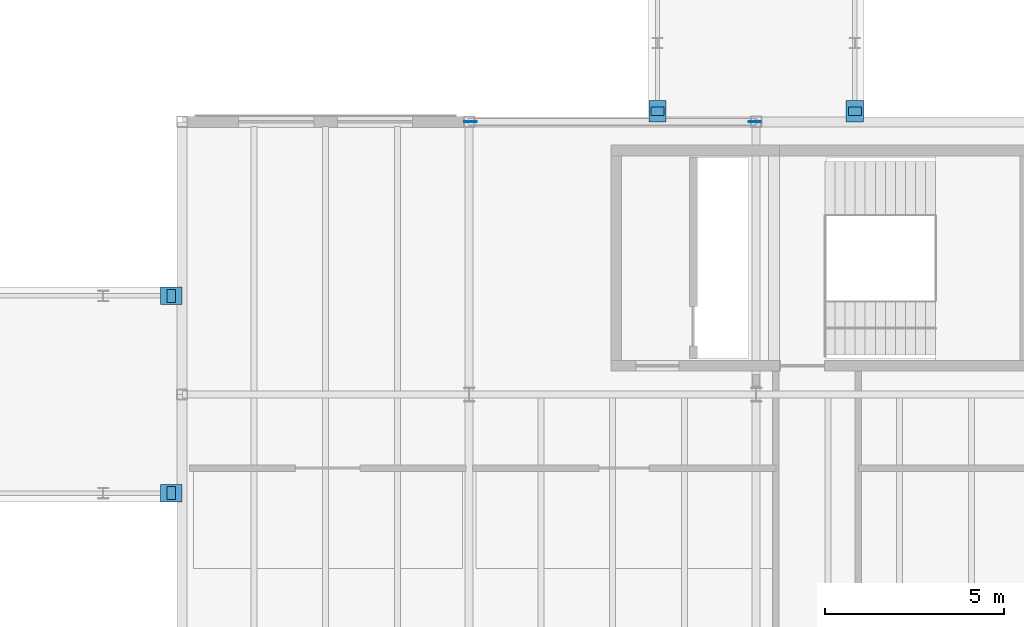
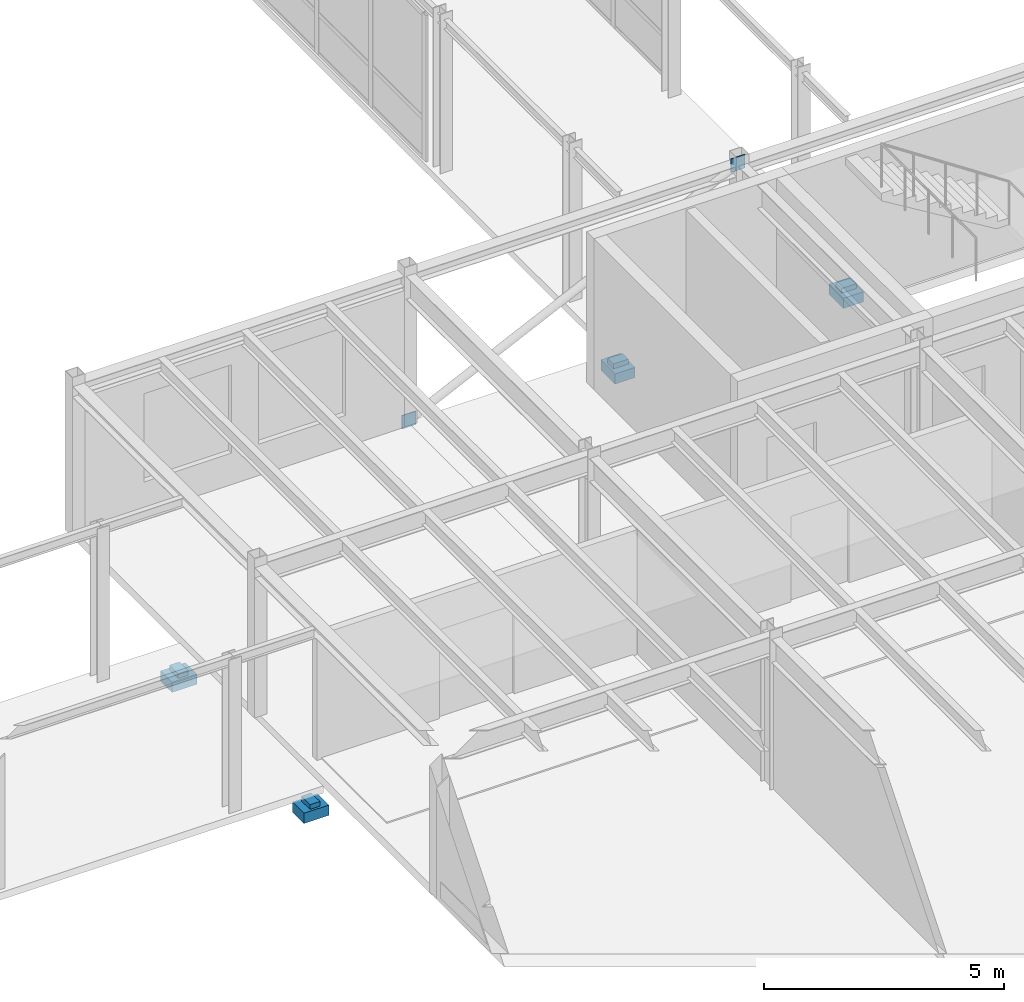
# One storey, part 151 of 165: 10 discrete accessories.
"""IFC4 building model written with IfcOpenShell, lengths in metres."""

from ifc_helpers import new_model, si_unit, direction, frame, origin, origin_2d, place, context, subcontext, project, spatial, rectangle, extrude, material, type_object, element, save


model = new_model("IFC4")

# Units and contexts
model_context = context("Model", 3, precision=1e-05, world=origin(), true_north=direction((0.0, 1.0)))
body_context = subcontext(model_context, "Body", "Model", "MODEL_VIEW")
ifc_project = project(units=[si_unit("LENGTHUNIT", "METRE"), si_unit("AREAUNIT", "SQUARE_METRE"), si_unit("VOLUMEUNIT", "CUBIC_METRE"), si_unit("PLANEANGLEUNIT", "RADIAN"), si_unit("MASSUNIT", "GRAM", prefix="KILO")], contexts=[model_context])

# Site, building, storey
site_placement = place(None, origin())
site = spatial("IfcSite", under=ifc_project, at=site_placement, CompositionType="ELEMENT")
building_placement = place(site_placement, origin())
building = spatial("IfcBuilding", under=site, at=building_placement, Name="Montecoro Central Library", CompositionType="ELEMENT")
storey_placement = place(building_placement, frame((0.0, 0.0, 5.10009765625)))
storey = spatial("IfcBuildingStorey", under=building, at=storey_placement, Name="L01", CompositionType="ELEMENT", Elevation=5.10009765625)

# Discrete accessories
ifc_material_1 = material(Name="Steel S355 and PTFE elastomer", Category="steel")
discrete_accessory_type_1 = type_object("IfcDiscreteAccessoryType", Name="BRG-SLIDE-01", PredefinedType="USERDEFINED", material=ifc_material_1)
for number, where, z_axis, x_axis, name in (
    (1, (154.25, 43.300048828125, -0.545166015625), (0.0, 0.0, 1.0), (1.0, 0.0, 0.0), "BR-E-L01-BRG-WA"),
    (2, (159.75, 43.300048828125, -0.545166015625), (0.0, 0.0, 1.0), (1.0, 0.0, 0.0), "BR-E-L01-BRG-EA"),
):
    element("IfcDiscreteAccessory", number, at=place(storey_placement, frame(where, z_axis=z_axis, x_axis=x_axis)), inside=storey, type_object=discrete_accessory_type_1, Name=name, ObjectType="GUIDED SLIDING BEARING", PredefinedType="USERDEFINED", context=body_context, shape_type="SweptSolid", body=[
        extrude(rectangle(XDim=0.360107421875, YDim=0.239990234375, at=origin_2d()), origin(), (0.0, 0.0, 1.0), 0.1201171875),
    ])
discrete_accessory_type_2 = type_object("IfcDiscreteAccessoryType", Name="BRG-SLIDE-02", PredefinedType="USERDEFINED", material=ifc_material_1)
for number, where, z_axis, x_axis, name in (
    (3, (140.699951171875, 32.64990234375, -0.545166015625), (0.0, 0.0, 1.0), (1.0, 0.0, 0.0), "BR-SE-L01-BRG-SB"),
    (4, (140.699951171875, 38.14990234375, -0.545166015625), (0.0, 0.0, 1.0), (1.0, 0.0, 0.0), "BR-SE-L01-BRG-NB"),
):
    element("IfcDiscreteAccessory", number, at=place(storey_placement, frame(where, z_axis=z_axis, x_axis=x_axis)), inside=storey, type_object=discrete_accessory_type_2, Name=name, ObjectType="FREE SLIDING BEARING", PredefinedType="USERDEFINED", context=body_context, shape_type="SweptSolid", body=[
        extrude(rectangle(XDim=0.239990234375, YDim=0.360107421875, at=origin_2d()), origin(), (0.0, 0.0, 1.0), 0.1201171875),
    ])
ifc_material_2 = material(Name="Steel S355", Category="steel")
discrete_accessory_type_3 = type_object("IfcDiscreteAccessoryType", Name="CORBEL-SEAT-600", PredefinedType="BRACKET", material=ifc_material_2)
for number, where, z_axis, x_axis, name in (
    (5, (154.25, 43.300048828125, -0.80517578125), (0.0, 0.0, 1.0), (1.0, 0.0, 0.0), "BR-E-L01-SEAT-WA"),
    (6, (159.75, 43.300048828125, -0.80517578125), (0.0, 0.0, 1.0), (1.0, 0.0, 0.0), "BR-E-L01-SEAT-EA"),
):
    element("IfcDiscreteAccessory", number, at=place(storey_placement, frame(where, z_axis=z_axis, x_axis=x_axis)), inside=storey, type_object=discrete_accessory_type_3, Name=name, PredefinedType="BRACKET", context=body_context, shape_type="SweptSolid", body=[
        extrude(rectangle(XDim=0.47998046875, YDim=0.60009765625, at=origin_2d()), origin(), (0.0, 0.0, 1.0), 0.260009765625),
    ])
for number, where, z_axis, x_axis, name in (
    (7, (140.699951171875, 32.64990234375, -0.80517578125), (0.0, 0.0, 1.0), (1.0, 0.0, 0.0), "BR-SE-L01-SEAT-SB"),
    (8, (140.699951171875, 38.14990234375, -0.80517578125), (0.0, 0.0, 1.0), (1.0, 0.0, 0.0), "BR-SE-L01-SEAT-NB"),
):
    element("IfcDiscreteAccessory", number, at=place(storey_placement, frame(where, z_axis=z_axis, x_axis=x_axis)), inside=storey, type_object=discrete_accessory_type_3, Name=name, PredefinedType="BRACKET", context=body_context, shape_type="SweptSolid", body=[
        extrude(rectangle(XDim=0.60009765625, YDim=0.47998046875, at=origin_2d()), origin(), (0.0, 0.0, 1.0), 0.260009765625),
    ])
discrete_accessory_type_4 = type_object("IfcDiscreteAccessoryType", Name="GUSSET-PLT-01", PredefinedType="BRACKET", material=ifc_material_2)
for number, where, z_axis, x_axis, name in (
    (9, (149.035888671875, 43.0, -0.14306640625), (0.0, 0.0, 1.0), (1.0, 0.0, 0.0), "V6-L01-BRN1-GPA"),
    (10, (156.964111328125, 43.0, 3.61767578125), (0.0, 0.0, 1.0), (1.0, 0.0, 0.0), "V6-L01-BRN1-GPB"),
):
    element("IfcDiscreteAccessory", number, at=place(storey_placement, frame(where, z_axis=z_axis, x_axis=x_axis)), inside=storey, type_object=discrete_accessory_type_4, Name=name, PredefinedType="BRACKET", context=body_context, shape_type="SweptSolid", body=[
        extrude(rectangle(XDim=0.340087890625, YDim=0.02392578125, at=origin_2d()), origin(), (0.0, 0.0, 1.0), 0.340087890625),
    ])

save(model, "model.ifc")
